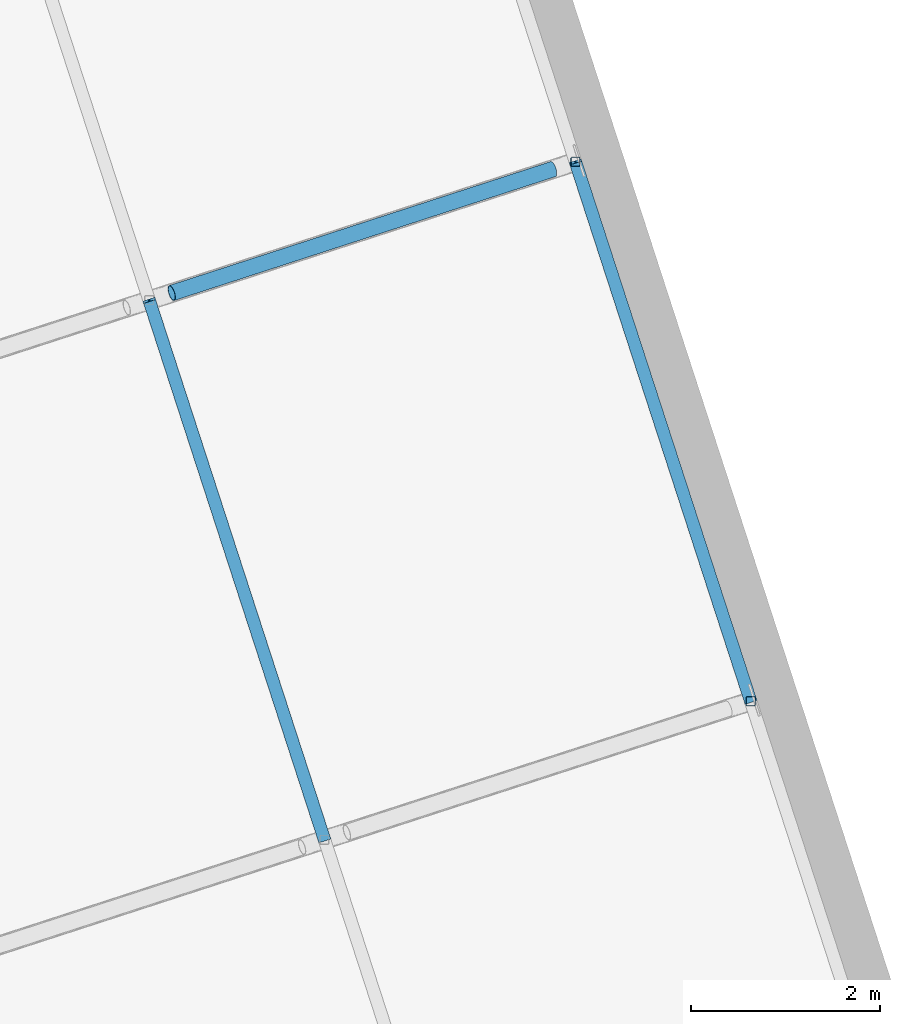
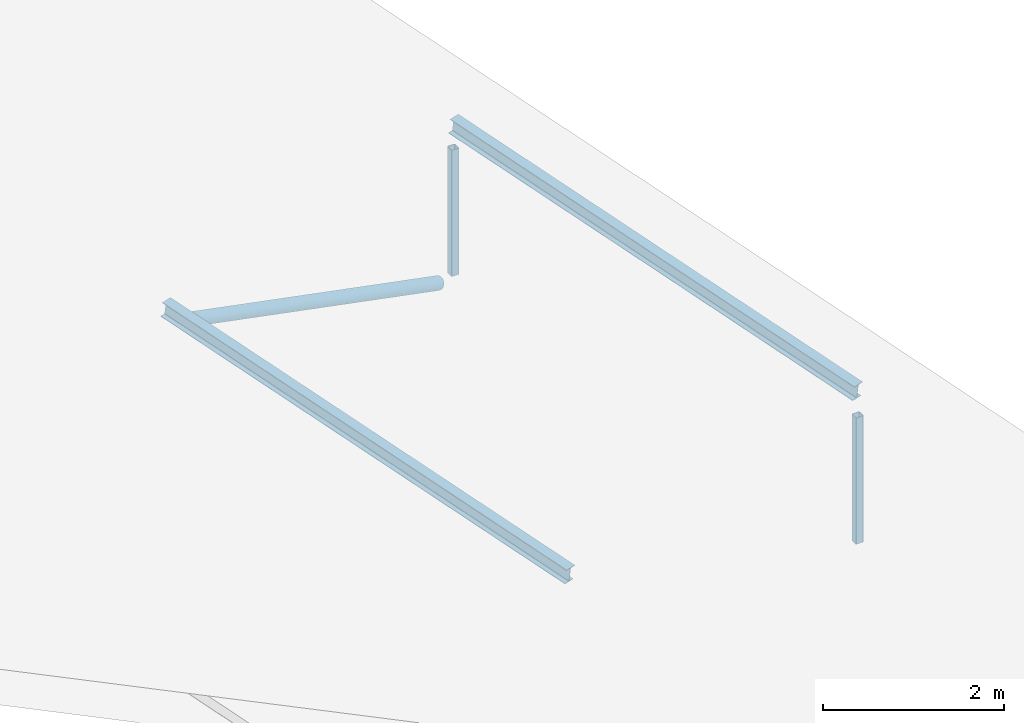
# One storey, part 16 of 55: 5 members.
"""IFC4 building model written with IfcOpenShell, lengths in metres."""

from ifc_helpers import new_model, si_unit, direction, frame, origin, origin_2d, place, context, subcontext, project, spatial, hollow_rectangle, hollow_circle, i_section, extrude, material, material_profile, profile_set, type_object, element, save


model = new_model("IFC4")

# Units and contexts
model_context = context("Model", 3, precision=1e-05, world=origin(), true_north=direction((0.0, 1.0)))
body_context = subcontext(model_context, "Body", "Model", "MODEL_VIEW")
ifc_project = project(units=[si_unit("LENGTHUNIT", "METRE"), si_unit("AREAUNIT", "SQUARE_METRE"), si_unit("VOLUMEUNIT", "CUBIC_METRE"), si_unit("PLANEANGLEUNIT", "RADIAN"), si_unit("MASSUNIT", "GRAM", prefix="KILO")], contexts=[model_context])

# Site, building, storey
site_placement = place(None, origin())
site = spatial("IfcSite", under=ifc_project, at=site_placement, CompositionType="ELEMENT")
building_placement = place(site_placement, origin())
building = spatial("IfcBuilding", under=site, at=building_placement, Name="Tuart Plaza Theatre", CompositionType="ELEMENT")
storey_placement = place(building_placement, frame((0.0, 0.0, 21.5)))
storey = spatial("IfcBuildingStorey", under=building, at=storey_placement, Name="L05", CompositionType="ELEMENT", Elevation=21.5)

# Members
ifc_material_1 = material(Name="Steel Grade C350L0", Category="steel")
ifc_material_profile_1 = material_profile(ifc_material_1, hollow_circle(Radius=0.084228515625, WallThickness=0.00634765625, at=origin_2d()), Name="168.3x6.4 CHS")
ifc_profile_set_1 = profile_set([ifc_material_profile_1], Name="Steel Grade C350L0")
member_type_1 = type_object("IfcMemberType", Name="MEMBER Brace 168.3x6.4 CHS", PredefinedType="BRACE", material=ifc_profile_set_1)
member_1_placement = place(storey_placement, frame((66.5576171875, 69.46044921875, 2.3837890625), z_axis=(0.882811054717, 0.286862844235, -0.371960146073), x_axis=(-0.309036623614, 0.951050138145, 0.0)))
element("IfcMember", 1, at=member_1_placement, inside=storey, type_object=member_type_1, Name="BR24", PredefinedType="BRACE", context=body_context, shape_type="SweptSolid", body=[
    extrude(hollow_circle(Radius=0.084228515625, WallThickness=0.00634765625, at=origin_2d()), origin(), (0.0, 0.0, 1.0), 4.5703125),
])
ifc_material_2 = material(Name="Steel Grade C350L0", Category="steel")
ifc_material_profile_2 = material_profile(ifc_material_2, hollow_rectangle(XDim=0.10009765625, YDim=0.10009765625, WallThickness=0.006103515625, InnerFilletRadius=0.006103515625, OuterFilletRadius=0.011962890625, at=origin_2d()), Name="100x100x6 SHS")
ifc_profile_set_2 = profile_set([ifc_material_profile_2], Name="Steel Grade C350L0")
member_type_2 = type_object("IfcMemberType", Name="MEMBER Post 100x100x6 SHS", PredefinedType="POST", material=ifc_profile_set_2)
for number, where, z_axis, x_axis, name in (
    (2, (72.683837890625, 65.142333984375, -0.1083984375), (0.0, 0.0, 1.0), (1.0, 0.0, 0.0), "PO21"),
    (3, (70.829833984375, 70.8486328125, 0.683837890625), (0.0, 0.0, 1.0), (1.0, 0.0, 0.0), "PO28"),
):
    element("IfcMember", number, at=place(storey_placement, frame(where, z_axis=z_axis, x_axis=x_axis)), inside=storey, type_object=member_type_2, Name=name, PredefinedType="POST", context=body_context, shape_type="SweptSolid", body=[
        extrude(hollow_rectangle(XDim=0.10009765625, YDim=0.10009765625, WallThickness=0.006103515625, InnerFilletRadius=0.006103515625, OuterFilletRadius=0.011962890625, at=origin_2d()), origin(), (0.0, 0.0, 1.0), 1.699951171875),
    ])
ifc_material_3 = material(Name="Steel Grade 300", Category="steel")
ifc_material_profile_3 = material_profile(ifc_material_3, i_section(OverallWidth=0.133056640625, OverallDepth=0.202880859375, WebThickness=0.005859375, FlangeThickness=0.0078125, FilletRadius=0.0087890625, at=origin_2d()), Name="200UB25.4")
ifc_profile_set_3 = profile_set([ifc_material_profile_3], Name="Steel Grade 300")
member_type_3 = type_object("IfcMemberType", Name="MEMBER Purlin 200UB25.4", PredefinedType="PURLIN", material=ifc_profile_set_3)
member_2_placement = place(storey_placement, frame((68.17431640625, 63.677001953125, 1.9072265625), z_axis=(-0.306370091382, 0.942869587356, 0.13089808381), x_axis=(-0.951052605696, -0.309029029702, 0.0)))
element("IfcMember", 4, at=member_2_placement, inside=storey, type_object=member_type_3, Name="PU34", PredefinedType="PURLIN", context=body_context, shape_type="SweptSolid", body=[
    extrude(i_section(OverallWidth=0.133056640625, OverallDepth=0.202880859375, WebThickness=0.005859375, FlangeThickness=0.0078125, FilletRadius=0.0087890625, at=origin_2d()), origin(), (0.0, 0.0, 1.0), 6.05224609375),
])
member_3_placement = place(storey_placement, frame((72.683837890625, 65.142333984375, 1.9072265625), z_axis=(-0.306345190325, 0.942876762375, 0.130904680354), x_axis=(-0.95106067854, -0.309004184009, 0.0)))
element("IfcMember", 5, at=member_3_placement, inside=storey, type_object=member_type_3, Name="PU40", PredefinedType="PURLIN", context=body_context, shape_type="SweptSolid", body=[
    extrude(i_section(OverallWidth=0.133056640625, OverallDepth=0.202880859375, WebThickness=0.005859375, FlangeThickness=0.0078125, FilletRadius=0.0087890625, at=origin_2d()), origin(), (0.0, 0.0, 1.0), 6.052001953125),
])

save(model, "model.ifc")
